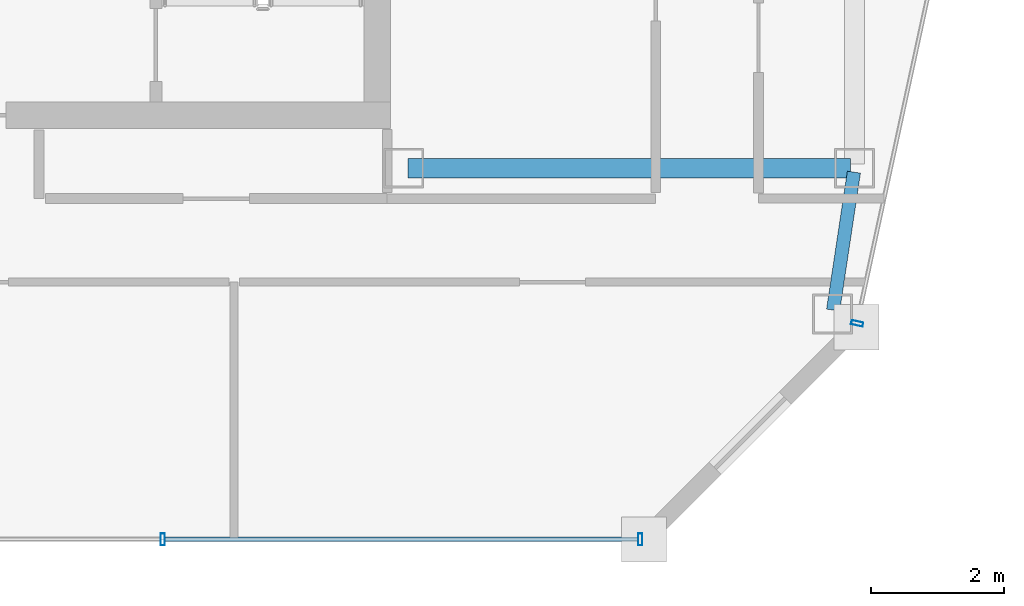
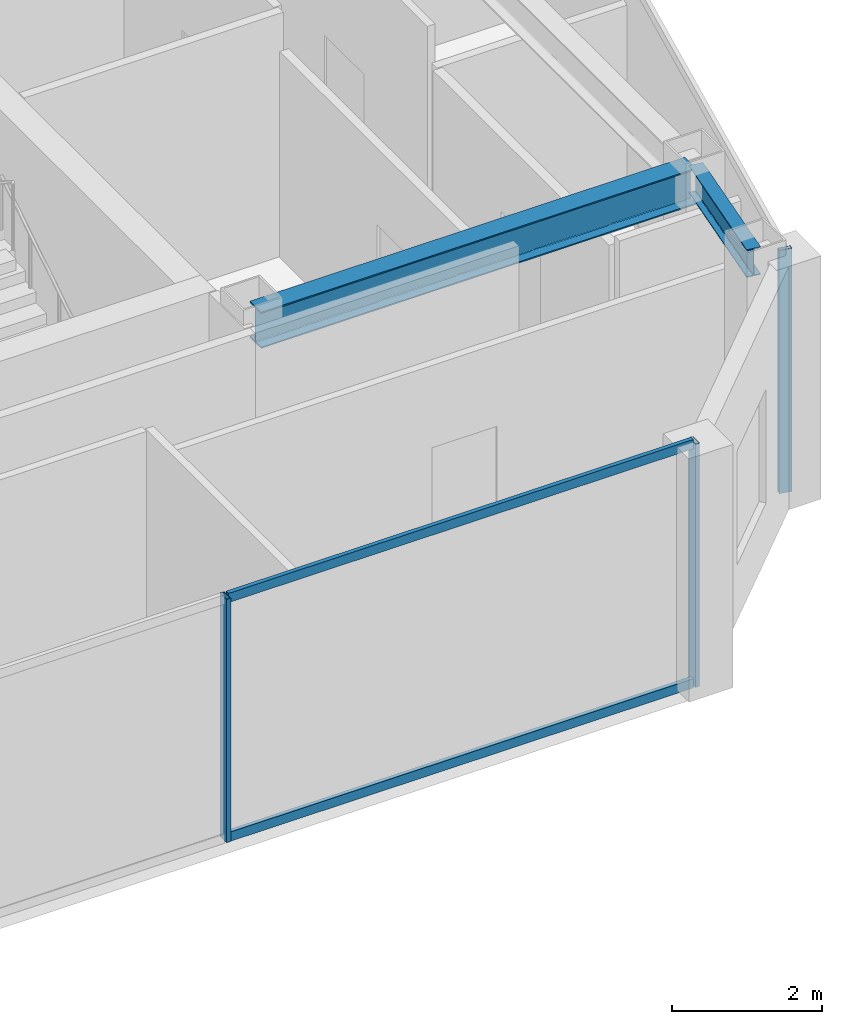
# One storey, part 10 of 20: 5 members, 2 beams, 2 elements without a shape of their own.
"""IFC4 building model written with IfcOpenShell, lengths in metres."""

from ifc_helpers import new_model, si_unit, direction, frame, origin, origin_2d, place, context, subcontext, project, spatial, hollow_rectangle, i_section, extrude, material, material_profile, profile_set, type_object, element, aggregate, save


model = new_model("IFC4")

# Units and contexts
model_context = context("Model", 3, precision=1e-05, world=origin(), true_north=direction((0.0, 1.0)))
body_context = subcontext(model_context, "Body", "Model", "MODEL_VIEW")
ifc_project = project(units=[si_unit("LENGTHUNIT", "METRE"), si_unit("AREAUNIT", "SQUARE_METRE"), si_unit("VOLUMEUNIT", "CUBIC_METRE"), si_unit("PLANEANGLEUNIT", "RADIAN"), si_unit("MASSUNIT", "GRAM", prefix="KILO")], contexts=[model_context])

# Site, building, storey
site_placement = place(None, origin())
site = spatial("IfcSite", under=ifc_project, at=site_placement, CompositionType="ELEMENT")
building_placement = place(site_placement, origin())
building = spatial("IfcBuilding", under=site, at=building_placement, Name="Saevonmaru Cultural Tower", CompositionType="ELEMENT")
storey_placement = place(building_placement, frame((0.0, 0.0, 319.199951171875)))
storey = spatial("IfcBuildingStorey", under=building, at=storey_placement, Name="L76", CompositionType="ELEMENT", Elevation=319.199951171875)

# Beams
ifc_material_1 = material(Name="Steel SM355", Category="steel")
ifc_material_profile_1 = material_profile(ifc_material_1, i_section(OverallWidth=0.300048828125, OverallDepth=0.587890625, WebThickness=0.011962890625, FlangeThickness=0.02001953125, FilletRadius=0.02392578125, at=origin_2d()), Name="H-588x300x12x20")
ifc_profile_set_1 = profile_set([ifc_material_profile_1], Name="Steel SM355")
beam_type_1 = type_object("IfcBeamType", Name="BM-G-H588", PredefinedType="BEAM", material=ifc_profile_set_1)
beam_1_placement = place(storey_placement, frame((46.4599609375, 42.39990234375, 3.656005859375), z_axis=(1.0, 0.0, 0.0), x_axis=(0.0, 1.0, 0.0)))
element("IfcBeam", 1, at=beam_1_placement, inside=storey, type_object=beam_type_1, Name="L76 Core South Girder 5", PredefinedType="BEAM", context=body_context, shape_type="SweptSolid", body=[
    extrude(i_section(OverallWidth=0.300048828125, OverallDepth=0.587890625, WebThickness=0.011962890625, FlangeThickness=0.02001953125, FilletRadius=0.02392578125, at=origin_2d()), origin(), (0.0, 0.0, 1.0), 6.679931640625),
])
ifc_material_profile_2 = material_profile(ifc_material_1, i_section(OverallWidth=0.199951171875, OverallDepth=0.449951171875, WebThickness=0.009033203125, FlangeThickness=0.013916015625, FilletRadius=0.01806640625, at=origin_2d()), Name="H-450x200x9x14")
ifc_profile_set_2 = profile_set([ifc_material_profile_2], Name="Steel SM355")
beam_type_2 = type_object("IfcBeamType", Name="BM-SP-H450", PredefinedType="SPANDREL", material=ifc_profile_set_2)
beam_2_placement = place(storey_placement, frame((52.876953125, 40.25927734375, 3.72509765625), z_axis=(0.149145717006, 0.988815227987, 0.0), x_axis=(-0.988815227987, 0.149145717006, 0.0)))
element("IfcBeam", 2, at=beam_2_placement, inside=storey, type_object=beam_type_2, Name="L76 East Splayed Spandrel 1", PredefinedType="SPANDREL", context=body_context, shape_type="SweptSolid", body=[
    extrude(i_section(OverallWidth=0.199951171875, OverallDepth=0.449951171875, WebThickness=0.009033203125, FlangeThickness=0.013916015625, FilletRadius=0.01806640625, at=origin_2d()), origin(), (0.0, 0.0, 1.0), 2.10498046875),
])

# Curtain wall, members
ifc_material_2 = material(Name="Satin Bronze Anodised Aluminium", Category="aluminium")
curtain_wall_type = type_object("IfcCurtainWallType", Name="CW-SKY-GLZ", PredefinedType="NOTDEFINED", material=ifc_material_2)
curtain_wall_1_placement = place(storey_placement, origin())
curtain_wall_1 = element("IfcCurtainWall", 3, at=curtain_wall_1_placement, inside=storey, type_object=curtain_wall_type, Name="L76 Unitised Curtain Wall E6", PredefinedType="NOTDEFINED")
ifc_material_profile_3 = material_profile(ifc_material_2, hollow_rectangle(XDim=0.06494140625, YDim=0.179931640625, WallThickness=0.00390625, at=origin_2d()), Name="ALU-MULL-180x65x4")
ifc_profile_set_3 = profile_set([ifc_material_profile_3], Name="Satin Bronze Anodised Aluminium")
member_type_1 = type_object("IfcMemberType", Name="ML-CW-180x65", PredefinedType="MULLION", material=ifc_profile_set_3)
member_1_placement = place(storey_placement, frame((42.763427734375, 36.800048828125, 0.0), z_axis=(0.0, 0.0, 1.0), x_axis=(1.0, 0.0, 0.0)))
member_1 = element("IfcMember", 4, at=member_1_placement, type_object=member_type_1, Name="CW-TW-L76-E6 mullion 2", PredefinedType="MULLION", context=body_context, shape_type="SweptSolid", body=[
    extrude(hollow_rectangle(XDim=0.06494140625, YDim=0.179931640625, WallThickness=0.00390625, at=origin_2d()), origin(), (0.0, 0.0, 1.0), 3.949951171875),
])
member_2_placement = place(storey_placement, frame((49.966796875, 36.800048828125, 0.0), z_axis=(0.0, 0.0, 1.0), x_axis=(1.0, 0.0, 0.0)))
member_2 = element("IfcMember", 5, at=member_2_placement, type_object=member_type_1, Name="CW-TW-L76-E6 mullion 3", PredefinedType="MULLION", context=body_context, shape_type="SweptSolid", body=[
    extrude(hollow_rectangle(XDim=0.06494140625, YDim=0.179931640625, WallThickness=0.00390625, at=origin_2d()), origin(), (0.0, 0.0, 1.0), 3.949951171875),
])

# Curtain wall, member
curtain_wall_2_placement = place(storey_placement, origin())
curtain_wall_2 = element("IfcCurtainWall", 6, at=curtain_wall_2_placement, inside=storey, type_object=curtain_wall_type, Name="L76 Unitised Curtain Wall E8", PredefinedType="NOTDEFINED")
member_3_placement = place(storey_placement, frame((53.239501953125, 40.05859375, 0.0), z_axis=(0.0, 0.0, 1.0), x_axis=(0.211750401587, 0.977323778196, 0.0)))
member_3 = element("IfcMember", 7, at=member_3_placement, type_object=member_type_1, Name="CW-TW-L76-E8 mullion 1", PredefinedType="MULLION", context=body_context, shape_type="SweptSolid", body=[
    extrude(hollow_rectangle(XDim=0.06494140625, YDim=0.179931640625, WallThickness=0.00390625, at=origin_2d()), origin(), (0.0, 0.0, 1.0), 3.949951171875),
])
aggregate(curtain_wall_2, [member_3])

# Member
ifc_material_profile_4 = material_profile(ifc_material_2, hollow_rectangle(XDim=0.06494140625, YDim=0.14990234375, WallThickness=0.00390625, at=origin_2d()), Name="ALU-TRAN-150x65x4")
ifc_profile_set_4 = profile_set([ifc_material_profile_4], Name="Satin Bronze Anodised Aluminium")
member_type_2 = type_object("IfcMemberType", Name="TR-CW-150x65", PredefinedType="USERDEFINED", material=ifc_profile_set_4)
member_4_placement = place(storey_placement, frame((42.7958984375, 36.800048828125, 0.032470703125), z_axis=(1.0, 0.0, 0.0), x_axis=(0.0, 1.0, 0.0)))
member_4 = element("IfcMember", 8, at=member_4_placement, type_object=member_type_2, Name="CW-TW-L76-E6 transom 2.1", ObjectType="TRANSOM", PredefinedType="USERDEFINED", context=body_context, shape_type="SweptSolid", body=[
    extrude(hollow_rectangle(XDim=0.06494140625, YDim=0.14990234375, WallThickness=0.00390625, at=origin_2d()), origin(), (0.0, 0.0, 1.0), 7.13818359375),
])

member_5_placement = place(storey_placement, frame((42.7958984375, 36.800048828125, 3.91748046875), z_axis=(1.0, 0.0, 0.0), x_axis=(0.0, 1.0, 0.0)))
member_5 = element("IfcMember", 9, at=member_5_placement, type_object=member_type_2, Name="CW-TW-L76-E6 transom 2.2", ObjectType="TRANSOM", PredefinedType="USERDEFINED", context=body_context, shape_type="SweptSolid", body=[
    extrude(hollow_rectangle(XDim=0.06494140625, YDim=0.14990234375, WallThickness=0.00390625, at=origin_2d()), origin(), (0.0, 0.0, 1.0), 7.13818359375),
])

aggregate(curtain_wall_1, [member_1, member_2, member_4, member_5])

save(model, "model.ifc")
